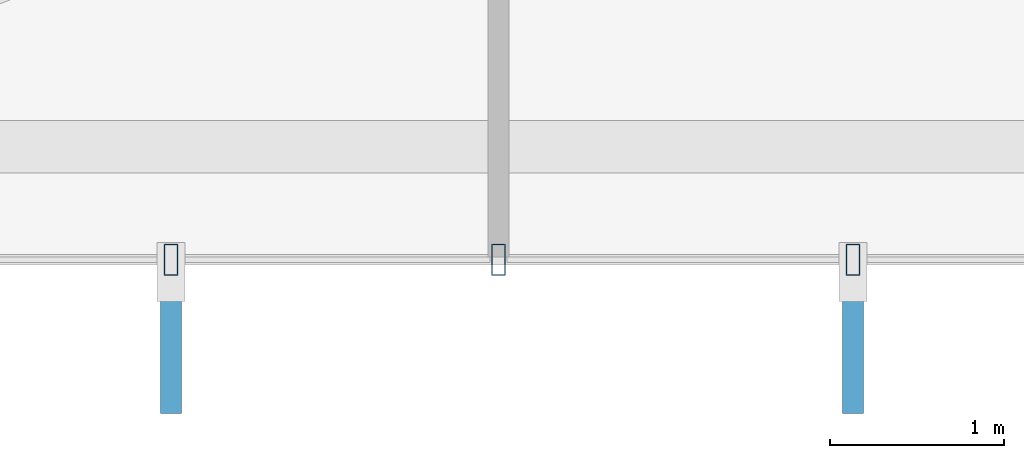
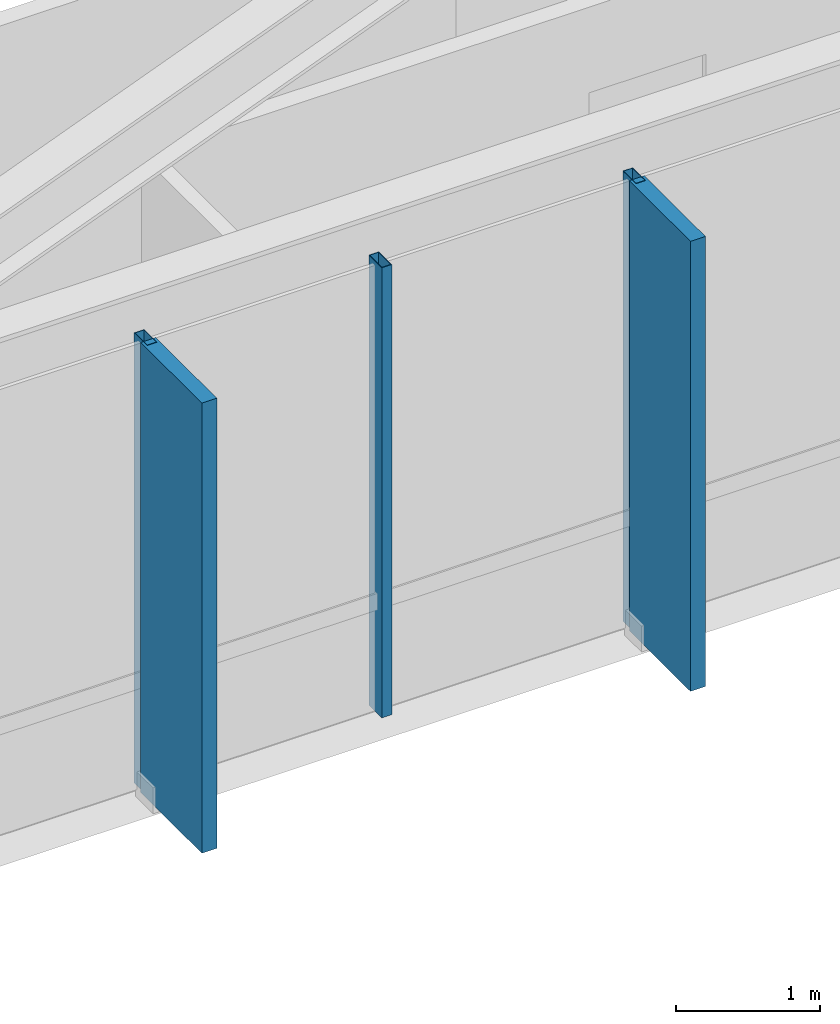
# One storey, part 6 of 25: 5 members, 1 element without a shape of its own.
"""IFC4 building model written with IfcOpenShell, lengths in metres."""

import ifcopenshell
import ifcopenshell.guid

model = None  # the IFC model being written
_history = None  # IfcOwnerHistory: only IFC2X3 demands one
_inside = {}  # id of a spatial element -> (the spatial element, [elements in it])
_under = {}  # id of a project, library or spatial element -> (it, [spatial elements below it])
_declared = {}  # id of a project -> (the project, [libraries it declares])
_typed = {}  # id of a type object -> (the type object, [elements of that type])
_made_of = {}  # id of a material, layer set ... -> (it, [elements and type objects made of it])


def new_model(schema):
    """Start an empty IFC model of exactly this schema.

    Asked for "IFC4X3", IfcOpenShell would pick the latest addendum, in which some entities
    have other attributes; the version numbers below select the first issue.
    IFC2X3 requires an IfcOwnerHistory on every rooted entity: one is made here for all.
    """
    global model, _history
    if schema == "IFC4X3":
        model = ifcopenshell.file(schema_version=(4, 3, 0, 0))
    else:
        model = ifcopenshell.file(schema=schema)
    _inside.clear()
    _under.clear()
    _declared.clear()
    _typed.clear()
    _made_of.clear()
    _history = None
    if model.schema == "IFC2X3":
        org = make("IfcOrganization", Name="unknown")
        user = make(
            "IfcPersonAndOrganization",
            ThePerson=make("IfcPerson", FamilyName="unknown"),
            TheOrganization=org,
        )
        app = make(
            "IfcApplication",
            ApplicationDeveloper=org,
            Version="unknown",
            ApplicationFullName="unknown",
            ApplicationIdentifier="unknown",
        )
        _history = make(
            "IfcOwnerHistory",
            OwningUser=user,
            OwningApplication=app,
            ChangeAction="ADDED",
            CreationDate=0,
        )
    return model


def make(cls, **values):
    """One entity of the class cls with the attributes given. An attribute that is None is left unset."""
    return model.create_entity(
        cls, **{name: value for name, value in values.items() if value is not None}
    )


def rooted(cls, **values):
    """An entity with a GlobalId (a new one), such as an element, a storey or a relation."""
    return make(cls, GlobalId=ifcopenshell.guid.new(), OwnerHistory=_history, **values)


def si_unit(unit_type, name, prefix=None):
    """IfcSIUnit, for example si_unit("LENGTHUNIT", "METRE", prefix="MILLI")."""
    return make("IfcSIUnit", UnitType=unit_type, Prefix=prefix, Name=name)


def assignment(units):
    """IfcUnitAssignment: the units of a project."""
    return None if units is None else make("IfcUnitAssignment", Units=units)


def point(xyz):
    """IfcCartesianPoint."""
    return None if xyz is None else make("IfcCartesianPoint", Coordinates=xyz)


def direction(xyz):
    """IfcDirection."""
    return None if xyz is None else make("IfcDirection", DirectionRatios=xyz)


def frame(location, z_axis=None, x_axis=None):
    """IfcAxis2Placement3D, a coordinate frame: its origin and axes. An axis left out is left unset."""
    return make(
        "IfcAxis2Placement3D",
        Location=point(location),
        Axis=direction(z_axis),
        RefDirection=direction(x_axis),
    )


def frame_2d(location, x_axis=None):
    """IfcAxis2Placement2D, a coordinate frame in the plane: its origin and x axis."""
    return make(
        "IfcAxis2Placement2D", Location=point(location), RefDirection=direction(x_axis)
    )


def origin():
    """The frame at (0, 0, 0) with its axes left unset."""
    return frame((0.0, 0.0, 0.0))


def origin_2d():
    """The frame at (0, 0) in the plane with its x axis left unset."""
    return frame_2d((0.0, 0.0))


def place(relative_to, where):
    """IfcLocalPlacement: puts the frame where relative to a parent placement (None: the world)."""
    return make(
        "IfcLocalPlacement", PlacementRelTo=relative_to, RelativePlacement=where
    )


def context(
    kind, dimensions, precision=None, world=None, true_north=None, identifier=None
):
    """IfcGeometricRepresentationContext, for example the 3D "Model" context."""
    return make(
        "IfcGeometricRepresentationContext",
        ContextIdentifier=identifier,
        ContextType=kind,
        CoordinateSpaceDimension=dimensions,
        Precision=precision,
        WorldCoordinateSystem=world,
        TrueNorth=true_north,
    )


def subcontext(parent, identifier, kind, view, scale=None):
    """IfcGeometricRepresentationSubContext, for example "Body" below "Model"."""
    return make(
        "IfcGeometricRepresentationSubContext",
        ContextIdentifier=identifier,
        ContextType=kind,
        ParentContext=parent,
        TargetScale=scale,
        TargetView=view,
    )


def project(units=None, contexts=None):
    """IfcProject with its units and contexts."""
    return rooted(
        "IfcProject",
        Name="project",
        RepresentationContexts=contexts,
        UnitsInContext=assignment(units),
    )


def spatial(cls, under=None, at=None, **own):
    """A site, building, storey or space (cls), placed at a placement, below another one or the project."""
    s = rooted(cls, ObjectPlacement=at, **own)
    if under is not None:
        _under.setdefault(under.id(), (under, []))[1].append(s)
    return s


def profile(cls, at=None, kind="AREA", **sizes):
    """A parametric profile (cls). Its sizes go by their IFC names, for example OverallWidth=200.0."""
    return make(cls, ProfileType=kind, Position=at, **sizes)


def rectangle(**sizes):
    """IfcRectangleProfileDef."""
    return profile("IfcRectangleProfileDef", **sizes)


def hollow_rectangle(**sizes):
    """IfcRectangleHollowProfileDef."""
    return profile("IfcRectangleHollowProfileDef", **sizes)


def extrude(swept, where, along, depth):
    """IfcExtrudedAreaSolid: the profile swept, set in the frame where, extruded along a direction by depth."""
    return make(
        "IfcExtrudedAreaSolid",
        SweptArea=swept,
        Position=where,
        ExtrudedDirection=direction(along),
        Depth=depth,
    )


def shape(context_of_items, identifier, shape_type, items):
    """IfcShapeRepresentation: the items that make up one representation, for example the "Body"."""
    return make(
        "IfcShapeRepresentation",
        ContextOfItems=context_of_items,
        RepresentationIdentifier=identifier,
        RepresentationType=shape_type,
        Items=items,
    )


def material(Name=None, Category=None):
    """IfcMaterial."""
    return make("IfcMaterial", Name=Name, Category=Category)


def layer(
    of_material, thickness, ventilated=None, Name=None, Category=None, Priority=None
):
    """IfcMaterialLayer: one layer of a wall or slab, of a material (None: an air gap)."""
    return make(
        "IfcMaterialLayer",
        Material=of_material,
        LayerThickness=thickness,
        IsVentilated=ventilated,
        Name=Name,
        Category=Category,
        Priority=Priority,
    )


def layer_set(layers, Name=None):
    """IfcMaterialLayerSet."""
    return make("IfcMaterialLayerSet", MaterialLayers=layers, LayerSetName=Name)


def material_profile(
    of_material, cross_section, Name=None, Category=None, Priority=None
):
    """IfcMaterialProfile: a cross section and its material."""
    return make(
        "IfcMaterialProfile",
        Name=Name,
        Material=of_material,
        Profile=cross_section,
        Priority=Priority,
        Category=Category,
    )


def profile_set(profiles, Name=None, composite=None):
    """IfcMaterialProfileSet."""
    return make(
        "IfcMaterialProfileSet",
        Name=Name,
        MaterialProfiles=profiles,
        CompositeProfile=composite,
    )


def made_of(thing, what):
    """Note that an element or type object is made of a material, layer set ...; save() writes the relation."""
    if what is not None:
        _made_of.setdefault(what.id(), (what, []))[1].append(thing)
    return thing


def type_object(cls, material=None, **own):
    """A type object (cls), such as IfcWallType, which elements share."""
    return made_of(rooted(cls, **own), material)


def element(
    cls,
    number,
    at=None,
    inside=None,
    cuts=None,
    type_object=None,
    material=None,
    context=None,
    identifier="Body",
    shape_type=None,
    held_by="IfcProductDefinitionShape",
    body=None,
    shapes=None,
    **own,
):
    """One element of the class cls, such as IfcWall. Its Tag is "e" and its number.

    at: its placement. inside: the storey or other place that contains it. cuts: it is an
    opening in that element (IfcRelVoidsElement). A single representation is given by context,
    identifier, shape_type and body (its items); several are given by shapes. held_by: the class
    of the entity that holds the representations. save() writes the other relations.
    """
    e = rooted(cls, Tag="e%d" % number, ObjectPlacement=at, **own)
    if body is not None:
        shapes = [shape(context, identifier, shape_type, body)]
    if shapes is not None:
        e.Representation = make(held_by, Representations=shapes)
    if inside is not None:
        _inside.setdefault(inside.id(), (inside, []))[1].append(e)
    if cuts is not None:
        rooted(
            "IfcRelVoidsElement", RelatingBuildingElement=cuts, RelatedOpeningElement=e
        )
    if type_object is not None:
        _typed.setdefault(type_object.id(), (type_object, []))[1].append(e)
    return made_of(e, material)


def aggregate(whole, parts):
    """IfcRelAggregates: a whole, such as a stair, and the parts it consists of."""
    return rooted("IfcRelAggregates", RelatingObject=whole, RelatedObjects=parts)


def save(model, path):
    """Write the relations noted so far, then the file.

    IfcRelAggregates (storeys below a building ...), IfcRelContainedInSpatialStructure (elements
    in a storey), IfcRelDefinesByType, IfcRelAssociatesMaterial and IfcRelDeclares: one each for
    every whole, place, type object, material and project.
    """
    for whole, parts in _under.values():
        aggregate(whole, parts)
    for where, things in _inside.values():
        rooted(
            "IfcRelContainedInSpatialStructure",
            RelatedElements=things,
            RelatingStructure=where,
        )
    for kind, things in _typed.values():
        rooted("IfcRelDefinesByType", RelatedObjects=things, RelatingType=kind)
    for what, things in _made_of.values():
        rooted("IfcRelAssociatesMaterial", RelatedObjects=things, RelatingMaterial=what)
    for by, libraries in _declared.values():
        rooted("IfcRelDeclares", RelatingContext=by, RelatedDefinitions=libraries)
    model.write(path)


model = new_model("IFC4")

# Units and contexts
model_context = context("Model", 3, precision=1e-05, world=origin(), true_north=direction((0.0, 1.0)))
body_context = subcontext(model_context, "Body", "Model", "MODEL_VIEW")
ifc_project = project(units=[si_unit("LENGTHUNIT", "METRE"), si_unit("AREAUNIT", "SQUARE_METRE"), si_unit("VOLUMEUNIT", "CUBIC_METRE"), si_unit("PLANEANGLEUNIT", "RADIAN"), si_unit("MASSUNIT", "GRAM", prefix="KILO")], contexts=[model_context])

# Site, building, storey
site_placement = place(None, origin())
site = spatial("IfcSite", under=ifc_project, at=site_placement, CompositionType="ELEMENT")
building_placement = place(site_placement, origin())
building = spatial("IfcBuilding", under=site, at=building_placement, Name="Zarrinselat Tower", CompositionType="ELEMENT")
storey_placement = place(building_placement, frame((0.0, 0.0, 84.659912109375)))
storey = spatial("IfcBuildingStorey", under=building, at=storey_placement, Name="L20", CompositionType="ELEMENT", Elevation=84.659912109375)

# Curtain wall, members
ifc_material_1 = material(Name="Extruded Aluminium Alloy EN AW-6063 T6", Category="aluminium")
ifc_layer = layer(ifc_material_1, 0.18505859375)
ifc_layer_set = layer_set([ifc_layer], Name="Extruded Aluminium Alloy EN AW-6063 T6")
curtain_wall_type = type_object("IfcCurtainWallType", Name="CWS-OFF", PredefinedType="NOTDEFINED", material=ifc_layer_set)
curtain_wall_placement = place(storey_placement, origin())
curtain_wall = element("IfcCurtainWall", 1, at=curtain_wall_placement, inside=storey, type_object=curtain_wall_type, Name="L20 Unitised Curtain Wall CW-L20-E04", PredefinedType="NOTDEFINED")
ifc_material_2 = material(Name="Extruded Aluminium Alloy EN AW-6063 T6", Category="aluminium")
ifc_material_profile_1 = material_profile(ifc_material_2, hollow_rectangle(XDim=0.080078125, YDim=0.179931640625, WallThickness=0.0048828125, at=origin_2d()), Name="RHS 180x80x5")
ifc_profile_set_1 = profile_set([ifc_material_profile_1], Name="Extruded Aluminium Alloy EN AW-6063 T6")
member_type_1 = type_object("IfcMemberType", Name="MEM-CW-MUL", PredefinedType="MULLION", material=ifc_profile_set_1)
member_1_placement = place(storey_placement, frame((32.5166015625, 18.4599609375, 0.0), z_axis=(0.0, 0.0, 1.0), x_axis=(1.0, 0.0, 0.0)))
member_1 = element("IfcMember", 2, at=member_1_placement, type_object=member_type_1, Name="CW-L20-E04 Mullion 1", PredefinedType="MULLION", context=body_context, shape_type="SweptSolid", body=[
    extrude(hollow_rectangle(XDim=0.080078125, YDim=0.179931640625, WallThickness=0.0048828125, at=origin_2d()), origin(), (0.0, 0.0, 1.0), 3.820068359375),
])
member_2_placement = place(storey_placement, frame((34.39990234375, 18.4599609375, 0.0), z_axis=(0.0, 0.0, 1.0), x_axis=(1.0, 0.0, 0.0)))
member_2 = element("IfcMember", 3, at=member_2_placement, type_object=member_type_1, Name="CW-L20-E04 Mullion 2", PredefinedType="MULLION", context=body_context, shape_type="SweptSolid", body=[
    extrude(hollow_rectangle(XDim=0.080078125, YDim=0.179931640625, WallThickness=0.0048828125, at=origin_2d()), origin(), (0.0, 0.0, 1.0), 3.820068359375),
])
member_3_placement = place(storey_placement, frame((36.43896484375, 18.4599609375, 0.0), z_axis=(0.0, 0.0, 1.0), x_axis=(1.0, 0.0, 0.0)))
member_3 = element("IfcMember", 4, at=member_3_placement, type_object=member_type_1, Name="CW-L20-E04 Mullion 3", PredefinedType="MULLION", context=body_context, shape_type="SweptSolid", body=[
    extrude(hollow_rectangle(XDim=0.080078125, YDim=0.179931640625, WallThickness=0.0048828125, at=origin_2d()), origin(), (0.0, 0.0, 1.0), 3.820068359375),
])
ifc_material_3 = material(Name="Honed Cream Travertine Stone", Category="masonry")
ifc_material_profile_2 = material_profile(ifc_material_3, rectangle(XDim=0.1201171875, YDim=0.85009765625, at=origin_2d()), Name="FIN 850x120")
ifc_profile_set_2 = profile_set([ifc_material_profile_2], Name="Honed Cream Travertine Stone")
member_type_2 = type_object("IfcMemberType", Name="MEM-STONE-FIN", PredefinedType="USERDEFINED", material=ifc_profile_set_2)
member_4_placement = place(storey_placement, frame((32.5166015625, 18.0, 0.0), z_axis=(0.0, 0.0, 1.0), x_axis=(-1.0, 0.0, 0.0)))
member_4 = element("IfcMember", 5, at=member_4_placement, type_object=member_type_2, Name="L20 Stone Shading Fin CW-L20-E04-01", ObjectType="FIN", PredefinedType="USERDEFINED", context=body_context, shape_type="SweptSolid", body=[
    extrude(rectangle(XDim=0.1201171875, YDim=0.85009765625, at=origin_2d()), origin(), (0.0, 0.0, 1.0), 3.820068359375),
])
member_5_placement = place(storey_placement, frame((36.43896484375, 18.0, 0.0), z_axis=(0.0, 0.0, 1.0), x_axis=(-1.0, 0.0, 0.0)))
member_5 = element("IfcMember", 6, at=member_5_placement, type_object=member_type_2, Name="L20 Stone Shading Fin CW-L20-E04-03", ObjectType="FIN", PredefinedType="USERDEFINED", context=body_context, shape_type="SweptSolid", body=[
    extrude(rectangle(XDim=0.1201171875, YDim=0.85009765625, at=origin_2d()), origin(), (0.0, 0.0, 1.0), 3.820068359375),
])
aggregate(curtain_wall, [member_1, member_4, member_2, member_3, member_5])

save(model, "model.ifc")
